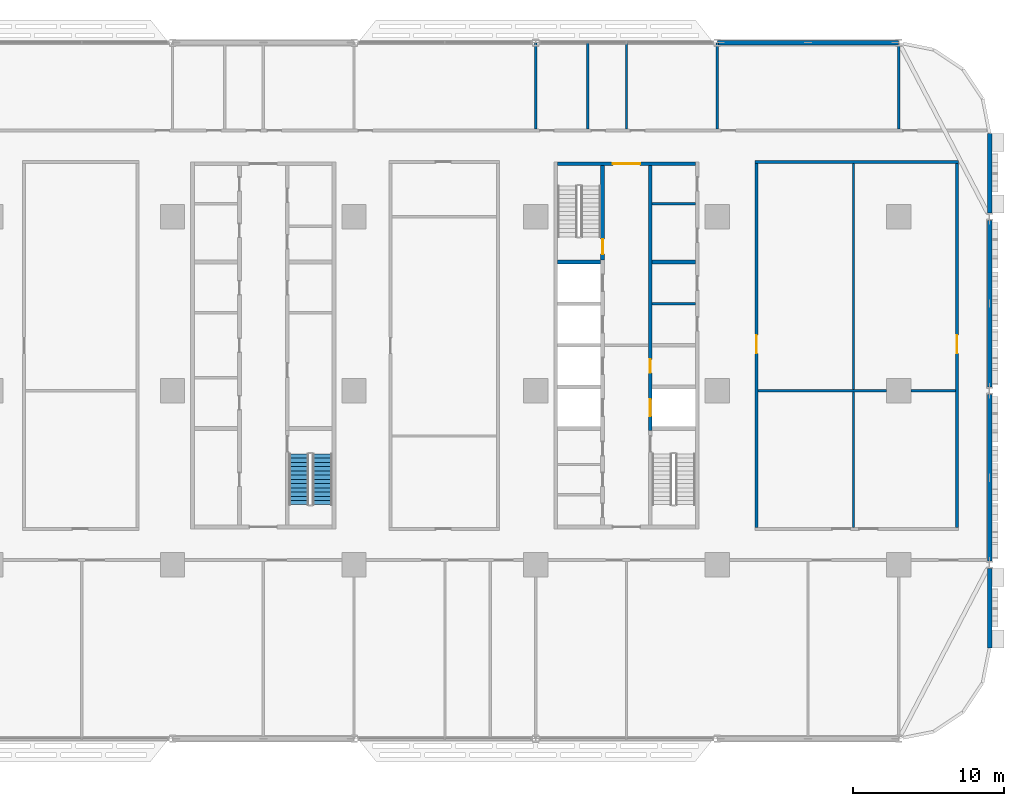
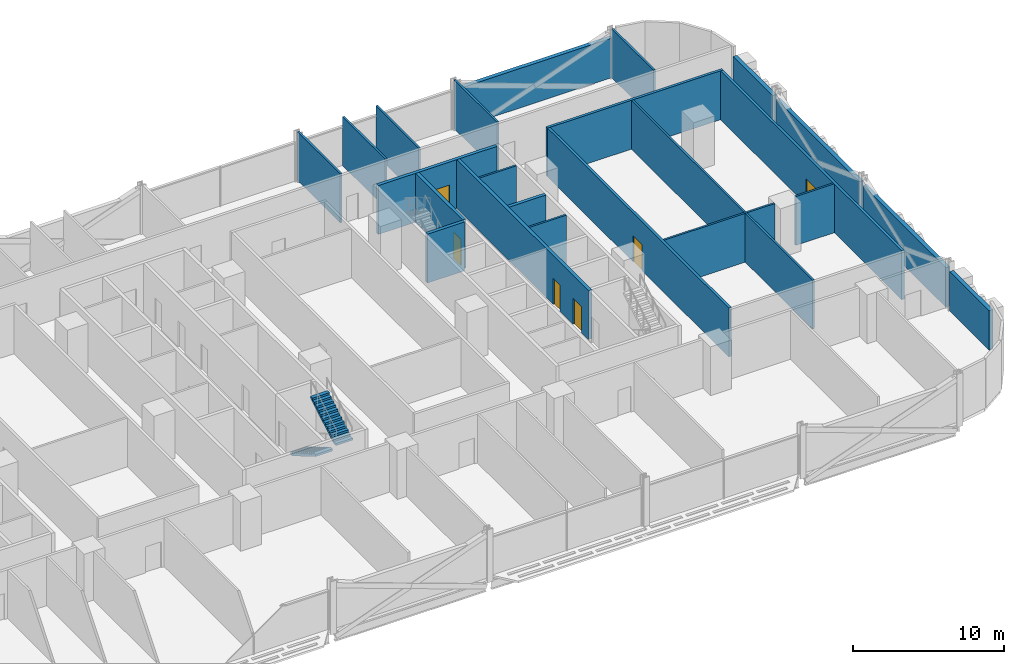
# One storey, part 15 of 29: 23 walls, 6 doors, 2 stair flights, 6 openings, 1 element without a shape of its own.
"""IFC4 building model written with IfcOpenShell, lengths in metres."""

from ifc_helpers import new_model, si_unit, direction, frame, frame_2d, origin, place, context, subcontext, project, spatial, polyline, rectangle, outline, extrude, material, layer, layer_set, type_object, element, fill, aggregate, save


model = new_model("IFC4")

# Units and contexts
model_context = context("Model", 3, precision=1e-05, world=origin(), true_north=direction((0.0, 1.0)))
body_context = subcontext(model_context, "Body", "Model", "MODEL_VIEW")
ifc_project = project(units=[si_unit("LENGTHUNIT", "METRE"), si_unit("AREAUNIT", "SQUARE_METRE"), si_unit("VOLUMEUNIT", "CUBIC_METRE"), si_unit("PLANEANGLEUNIT", "RADIAN"), si_unit("MASSUNIT", "GRAM", prefix="KILO")], contexts=[model_context])

# Site, building, storey
site_placement = place(None, origin())
site = spatial("IfcSite", under=ifc_project, at=site_placement, CompositionType="ELEMENT")
building_placement = place(site_placement, origin())
building = spatial("IfcBuilding", under=site, at=building_placement, Name="Mahtab Terrace Research Tower", CompositionType="ELEMENT")
storey_placement = place(building_placement, frame((0.0, 0.0, 20.10009765625)))
storey = spatial("IfcBuildingStorey", under=building, at=storey_placement, Name="L04", CompositionType="ELEMENT", Elevation=20.10009765625)

# Walls
ifc_material_1 = material(Name="Gypsum board partition")
ifc_layer_1 = layer(ifc_material_1, 0.14990234375)
ifc_layer_set_1 = layer_set([ifc_layer_1], Name="Core partition 150")
wall_type_1 = type_object("IfcWallType", Name="Core partition 150", PredefinedType="PARTITIONING", material=ifc_layer_set_1)
for number, where, z_axis, x_axis, name in (
    (1, (25.699951171875, 5.75, 0.0), (0.0, 0.0, 1.0), (1.0, 0.0, 0.0), "Core wall C pEL275"),
    (2, (25.699951171875, 12.35498046875, 0.0), (0.0, 0.0, 1.0), (1.0, 0.0, 0.0), "Core wall C pEN936"),
):
    element("IfcWall", number, at=place(storey_placement, frame(where, z_axis=z_axis, x_axis=x_axis)), inside=storey, type_object=wall_type_1, Name=name, PredefinedType="PARTITIONING", context=body_context, shape_type="SweptSolid", body=[
        extrude(rectangle(XDim=2.85009765625, YDim=0.14990234375, at=frame_2d((1.425048828125, 0.0))), origin(), (0.0, 0.0, 1.0), 3.9599609375),
    ])

# Wall, opening, door
ifc_material_2 = material(Name="Concrete C70/85", Category="concrete")
ifc_layer_2 = layer(ifc_material_2, 0.25)
ifc_layer_set_2 = layer_set([ifc_layer_2], Name="Core wall 250")
wall_type_2 = type_object("IfcWallType", Name="Core wall 250", PredefinedType="SOLIDWALL", material=ifc_layer_set_2)
wall_1_placement = place(storey_placement, frame((19.449951171875, 15.0, 0.0), z_axis=(0.0, 0.0, 1.0), x_axis=(1.0, 0.0, 0.0)))
wall_1 = element("IfcWall", 3, at=wall_1_placement, inside=storey, type_object=wall_type_2, Name="Core wall C endN", PredefinedType="SOLIDWALL", context=body_context, shape_type="SweptSolid", body=[
    extrude(rectangle(XDim=9.10009765625, YDim=0.25, at=frame_2d((4.550048828125, 0.0))), origin(), (0.0, 0.0, 1.0), 3.9599609375),
])
opening_1_placement = place(wall_1_placement, frame((3.64990234375, 0.0, 0.0)))
opening_1 = element("IfcOpeningElement", 4, at=opening_1_placement, cuts=wall_1, Name="Opening C-N1", PredefinedType="OPENING", context=body_context, shape_type="SweptSolid", body=[
    extrude(rectangle(XDim=1.800048828125, YDim=2.10009765625, at=frame_2d((0.89990234375, 1.050048828125))), frame((0.0, 0.135009765625, 0.0), z_axis=(0.0, -1.0, 0.0), x_axis=(1.0, 0.0, 0.0)), (0.0, 0.0, 1.0), 0.27001953125),
])
ifc_material_3 = material(Name="Steel fire door", Category="steel")
door_type_1 = type_object("IfcDoorType", Name="Lobby double door 1800x2100 1 HR", OperationType="DOUBLE_DOOR_SINGLE_SWING", PredefinedType="DOOR", material=ifc_material_3)
door_1_placement = place(opening_1_placement, origin())
door_1 = element("IfcDoor", 5, at=door_1_placement, inside=storey, type_object=door_type_1, Name="Core entrance door C N", OperationType="DOUBLE_DOOR_SINGLE_SWING", OverallHeight=2.10009765625, OverallWidth=1.800048828125, PredefinedType="DOOR", context=body_context, shape_type="SweptSolid", body=[
    extrude(rectangle(XDim=1.800048828125, YDim=2.10009765625, at=frame_2d((0.89990234375, 1.050048828125))), frame((0.0, 0.02490234375, 0.0), z_axis=(0.0, -1.0, 0.0), x_axis=(1.0, 0.0, 0.0)), (0.0, 0.0, 1.0), 0.050048828125),
])
fill(opening_1, door_1)

wall_2_placement = place(storey_placement, frame((22.425048828125, 14.875, 0.0), z_axis=(0.0, 0.0, 1.0), x_axis=(0.0, -1.0, 0.0)))
wall_2 = element("IfcWall", 6, at=wall_2_placement, inside=storey, type_object=wall_type_2, Name="Core wall C innerWN", PredefinedType="SOLIDWALL", context=body_context, shape_type="SweptSolid", body=[
    extrude(rectangle(XDim=6.25, YDim=0.25, at=frame_2d((3.125, 0.0))), origin(), (0.0, 0.0, 1.0), 3.9599609375),
])
opening_2_placement = place(wall_2_placement, frame((4.85009765625, 0.0, 0.0)))
opening_2 = element("IfcOpeningElement", 7, at=opening_2_placement, cuts=wall_2, Name="Opening C-ST3", PredefinedType="OPENING", context=body_context, shape_type="SweptSolid", body=[
    extrude(rectangle(XDim=1.0, YDim=2.10009765625, at=frame_2d((0.5, 1.050048828125))), frame((0.0, 0.135009765625, 0.0), z_axis=(0.0, -1.0, 0.0), x_axis=(1.0, 0.0, 0.0)), (0.0, 0.0, 1.0), 0.27001953125),
])
door_type_2 = type_object("IfcDoorType", Name="Stair door 1000x2100 1.5 HR", OperationType="NOTDEFINED", PredefinedType="DOOR", material=ifc_material_3)
door_2_placement = place(opening_2_placement, origin())
door_2 = element("IfcDoor", 8, at=door_2_placement, inside=storey, type_object=door_type_2, Name="Stair door ST3 L04", OperationType="SINGLE_SWING_LEFT", OverallHeight=2.10009765625, OverallWidth=1.0, PredefinedType="DOOR", context=body_context, shape_type="SweptSolid", body=[
    extrude(rectangle(XDim=1.0, YDim=2.10009765625, at=frame_2d((0.5, 1.050048828125))), frame((0.0, 0.02490234375, 0.0), z_axis=(0.0, -1.0, 0.0), x_axis=(1.0, 0.0, 0.0)), (0.0, 0.0, 1.0), 0.050048828125),
])
fill(opening_2, door_2)

# Wall, openings, doors
wall_3_placement = place(storey_placement, frame((25.574951171875, 14.875, 0.0), z_axis=(0.0, 0.0, 1.0), x_axis=(0.0, -1.0, 0.0)))
wall_3 = element("IfcWall", 9, at=wall_3_placement, inside=storey, type_object=wall_type_2, Name="Core wall C innerELN", PredefinedType="SOLIDWALL", context=body_context, shape_type="SweptSolid", body=[
    extrude(rectangle(XDim=17.5, YDim=0.25, at=frame_2d((8.75, 0.0))), origin(), (0.0, 0.0, 1.0), 3.9599609375),
])
opening_3_placement = place(wall_3_placement, frame((15.449951171875, 0.0, 0.0)))
opening_3 = element("IfcOpeningElement", 10, at=opening_3_placement, cuts=wall_3, Name="Opening LD21-L04", PredefinedType="OPENING", context=body_context, shape_type="SweptSolid", body=[
    extrude(rectangle(XDim=1.10009765625, YDim=2.10009765625, at=frame_2d((0.550048828125, 1.050048828125))), frame((0.0, 0.135009765625, 0.0), z_axis=(0.0, -1.0, 0.0), x_axis=(1.0, 0.0, 0.0)), (0.0, 0.0, 1.0), 0.27001953125),
])
opening_4_placement = place(wall_3_placement, frame((12.800048828125, 0.0, 0.0)))
opening_4 = element("IfcOpeningElement", 11, at=opening_4_placement, cuts=wall_3, Name="Opening C-R1", PredefinedType="OPENING", context=body_context, shape_type="SweptSolid", body=[
    extrude(rectangle(XDim=0.89990234375, YDim=2.10009765625, at=frame_2d((0.449951171875, 1.050048828125))), frame((0.0, 0.135009765625, 0.0), z_axis=(0.0, -1.0, 0.0), x_axis=(1.0, 0.0, 0.0)), (0.0, 0.0, 1.0), 0.27001953125),
])
ifc_material_4 = material(Name="Stainless steel AISI 304", Category="steel")
door_type_3 = type_object("IfcDoorType", Name="Landing door 1100x2100", OperationType="DOUBLE_DOOR_SLIDING", PredefinedType="DOOR", material=ifc_material_4)
door_3_placement = place(opening_3_placement, origin())
door_3 = element("IfcDoor", 12, at=door_3_placement, inside=storey, type_object=door_type_3, Name="Landing door SV3 L04", OperationType="DOUBLE_DOOR_SLIDING", OverallHeight=2.10009765625, OverallWidth=1.10009765625, PredefinedType="DOOR", context=body_context, shape_type="SweptSolid", body=[
    extrude(rectangle(XDim=1.10009765625, YDim=2.10009765625, at=frame_2d((0.550048828125, 1.050048828125))), frame((0.0, 0.02490234375, 0.0), z_axis=(0.0, -1.0, 0.0), x_axis=(1.0, 0.0, 0.0)), (0.0, 0.0, 1.0), 0.050048828125),
])
fill(opening_3, door_3)
door_type_4 = type_object("IfcDoorType", Name="Room door 900x2100 1 HR", OperationType="NOTDEFINED", PredefinedType="DOOR", material=ifc_material_3)
door_4_placement = place(opening_4_placement, origin())
door_4 = element("IfcDoor", 13, at=door_4_placement, inside=storey, type_object=door_type_4, Name="Plant room door", OperationType="SINGLE_SWING_LEFT", OverallHeight=2.10009765625, OverallWidth=0.89990234375, PredefinedType="DOOR", context=body_context, shape_type="SweptSolid", body=[
    extrude(rectangle(XDim=0.89990234375, YDim=2.10009765625, at=frame_2d((0.449951171875, 1.050048828125))), frame((0.0, 0.02490234375, 0.0), z_axis=(0.0, -1.0, 0.0), x_axis=(1.0, 0.0, 0.0)), (0.0, 0.0, 1.0), 0.050048828125),
])
fill(opening_4, door_4)

# Walls
for number, where, z_axis, x_axis, name in (
    (14, (19.449951171875, 8.5, 0.0), (0.0, 0.0, 1.0), (1.0, 0.0, 0.0), "Core wall C divW4"),
    (15, (25.699951171875, 8.5, 0.0), (0.0, 0.0, 1.0), (1.0, 0.0, 0.0), "Core wall C divE4"),
):
    element("IfcWall", number, at=place(storey_placement, frame(where, z_axis=z_axis, x_axis=x_axis)), inside=storey, type_object=wall_type_2, Name=name, PredefinedType="SOLIDWALL", context=body_context, shape_type="SweptSolid", body=[
        extrude(rectangle(XDim=2.85009765625, YDim=0.25, at=frame_2d((1.425048828125, 0.0))), origin(), (0.0, 0.0, 1.0), 3.9599609375),
    ])
ifc_material_5 = material(Name="Black aluminium cladding panel", Category="aluminium")
ifc_layer_3 = layer(ifc_material_5, 0.300048828125)
ifc_layer_set_3 = layer_set([ifc_layer_3], Name="Opaque facade wall 300")
wall_type_3 = type_object("IfcWallType", Name="Opaque facade wall 300", PredefinedType="NOTDEFINED", material=ifc_layer_set_3)
wall_4_placement = place(storey_placement, frame((41.97216796875, 23.0, 0.0), z_axis=(0.0, 0.0, 1.0), x_axis=(-1.0, 0.0, 0.0)))
element("IfcWall", 16, at=wall_4_placement, inside=storey, type_object=wall_type_3, Name="Opaque facade wall L04 N3", PredefinedType="NOTDEFINED", context=body_context, shape_type="SweptSolid", body=[
    extrude(rectangle(XDim=11.9443359375, YDim=0.300048828125, at=frame_2d((5.97216796875, 0.0))), origin(), (0.0, 0.0, 1.0), 3.202880859375),
])
wall_5_placement = place(storey_placement, frame((48.0, -17.0, 0.0), z_axis=(0.0, 0.0, 1.0), x_axis=(0.0, 1.0, 0.0)))
element("IfcWall", 17, at=wall_5_placement, inside=storey, type_object=wall_type_3, Name="Opaque facade wall L04 E33", PredefinedType="NOTDEFINED", context=body_context, shape_type="SweptSolid", body=[
    extrude(rectangle(XDim=5.2509765625, YDim=0.300048828125, at=frame_2d((2.62548828125, 0.0))), origin(), (0.0, 0.0, 1.0), 3.202880859375),
])
for number, where, z_axis, x_axis, name in (
    (18, (48.0, -11.2509765625, 0.0), (0.0, 0.0, 1.0), (0.0, 1.0, 0.0), "Opaque facade wall L04 E34"),
    (19, (48.0, 0.2490234375, 0.0), (0.0, 0.0, 1.0), (0.0, 1.0, 0.0), "Opaque facade wall L04 E35"),
):
    element("IfcWall", number, at=place(storey_placement, frame(where, z_axis=z_axis, x_axis=x_axis)), inside=storey, type_object=wall_type_3, Name=name, PredefinedType="NOTDEFINED", context=body_context, shape_type="SweptSolid", body=[
        extrude(rectangle(XDim=11.001953125, YDim=0.300048828125, at=frame_2d((5.5009765625, 0.0))), origin(), (0.0, 0.0, 1.0), 3.202880859375),
    ])
wall_6_placement = place(storey_placement, frame((48.0, 11.7490234375, 0.0), z_axis=(0.0, 0.0, 1.0), x_axis=(0.0, 1.0, 0.0)))
element("IfcWall", 20, at=wall_6_placement, inside=storey, type_object=wall_type_3, Name="Opaque facade wall L04 E36", PredefinedType="NOTDEFINED", context=body_context, shape_type="SweptSolid", body=[
    extrude(rectangle(XDim=5.2509765625, YDim=0.300048828125, at=frame_2d((2.62548828125, 0.0))), origin(), (0.0, 0.0, 1.0), 3.202880859375),
])
ifc_material_6 = material(Name="Gypsum board corridor wall on steel studs", Category="steel")
ifc_layer_4 = layer(ifc_material_6, 0.199951171875)
ifc_layer_set_4 = layer_set([ifc_layer_4], Name="WALL CORRIDOR 200")
wall_type_4 = type_object("IfcWallType", Name="WALL CORRIDOR 200", PredefinedType="PARTITIONING", material=ifc_layer_set_4)
wall_7_placement = place(storey_placement, frame((32.5, 15.125, 0.0), z_axis=(0.0, 0.0, 1.0), x_axis=(1.0, 0.0, 0.0)))
element("IfcWall", 21, at=wall_7_placement, inside=storey, type_object=wall_type_4, Name="L04-W025", PredefinedType="PARTITIONING", context=body_context, shape_type="SweptSolid", body=[
    extrude(rectangle(XDim=13.449951171875, YDim=0.199951171875, at=frame_2d((6.72509765625, 0.0))), origin(), (0.0, 0.0, 1.0), 3.9599609375),
])

# Wall, opening, door
wall_8_placement = place(storey_placement, frame((32.60009765625, -9.02490234375, 0.0), z_axis=(0.0, 0.0, 1.0), x_axis=(0.0, 1.0, 0.0)))
wall_8 = element("IfcWall", 22, at=wall_8_placement, inside=storey, type_object=wall_type_4, Name="L04-W059", PredefinedType="PARTITIONING", context=body_context, shape_type="SweptSolid", body=[
    extrude(rectangle(XDim=24.0498046875, YDim=0.199951171875, at=frame_2d((12.02490234375, 0.0))), origin(), (0.0, 0.0, 1.0), 3.9599609375),
])
opening_5_placement = place(wall_8_placement, frame((11.5, 0.0, 0.0)))
opening_5 = element("IfcOpeningElement", 23, at=opening_5_placement, cuts=wall_8, Name="Opening L04-126", PredefinedType="OPENING", context=body_context, shape_type="SweptSolid", body=[
    extrude(rectangle(XDim=1.199951171875, YDim=2.10009765625, at=frame_2d((0.60009765625, 1.050048828125))), frame((0.0, 0.10986328125, 0.0), z_axis=(0.0, -1.0, 0.0), x_axis=(1.0, 0.0, 0.0)), (0.0, 0.0, 1.0), 0.219970703125),
])
ifc_material_7 = material(Name="Timber door leaf in steel frame", Category="steel")
door_type_5 = type_object("IfcDoorType", Name="DOOR 1200X2100 FD30S", OperationType="SINGLE_SWING_LEFT", PredefinedType="DOOR", material=ifc_material_7)
door_5_placement = place(opening_5_placement, origin())
door_5 = element("IfcDoor", 24, at=door_5_placement, inside=storey, type_object=door_type_5, Name="Door L04-126", OperationType="SINGLE_SWING_LEFT", OverallHeight=2.10009765625, OverallWidth=1.199951171875, PredefinedType="DOOR", context=body_context, shape_type="SweptSolid", body=[
    extrude(rectangle(XDim=1.199951171875, YDim=2.10009765625, at=frame_2d((0.60009765625, 1.050048828125))), frame((0.0, 0.02490234375, 0.0), z_axis=(0.0, -1.0, 0.0), x_axis=(1.0, 0.0, 0.0)), (0.0, 0.0, 1.0), 0.050048828125),
])
fill(opening_5, door_5)

wall_9_placement = place(storey_placement, frame((45.85009765625, -9.02490234375, 0.0), z_axis=(0.0, 0.0, 1.0), x_axis=(0.0, 1.0, 0.0)))
wall_9 = element("IfcWall", 25, at=wall_9_placement, inside=storey, type_object=wall_type_4, Name="L04-W064", PredefinedType="PARTITIONING", context=body_context, shape_type="SweptSolid", body=[
    extrude(rectangle(XDim=24.0498046875, YDim=0.199951171875, at=frame_2d((12.02490234375, 0.0))), origin(), (0.0, 0.0, 1.0), 3.9599609375),
])
opening_6_placement = place(wall_9_placement, frame((11.5, 0.0, 0.0)))
opening_6 = element("IfcOpeningElement", 26, at=opening_6_placement, cuts=wall_9, Name="Opening L04-127", PredefinedType="OPENING", context=body_context, shape_type="SweptSolid", body=[
    extrude(rectangle(XDim=1.199951171875, YDim=2.10009765625, at=frame_2d((0.60009765625, 1.050048828125))), frame((0.0, 0.10986328125, 0.0), z_axis=(0.0, -1.0, 0.0), x_axis=(1.0, 0.0, 0.0)), (0.0, 0.0, 1.0), 0.219970703125),
])
door_6_placement = place(opening_6_placement, origin())
door_6 = element("IfcDoor", 27, at=door_6_placement, inside=storey, type_object=door_type_5, Name="Door L04-127", OperationType="SINGLE_SWING_RIGHT", OverallHeight=2.10009765625, OverallWidth=1.199951171875, PredefinedType="DOOR", context=body_context, shape_type="SweptSolid", body=[
    extrude(rectangle(XDim=1.199951171875, YDim=2.10009765625, at=frame_2d((0.60009765625, 1.050048828125))), frame((0.0, 0.02490234375, 0.0), z_axis=(0.0, -1.0, 0.0), x_axis=(1.0, 0.0, 0.0)), (0.0, 0.0, 1.0), 0.050048828125),
])
fill(opening_6, door_6)

# Walls
ifc_material_8 = material(Name="Gypsum board partition on steel studs", Category="steel")
ifc_layer_5 = layer(ifc_material_8, 0.14990234375)
ifc_layer_set_5 = layer_set([ifc_layer_5], Name="WALL PARTITION 150")
wall_type_5 = type_object("IfcWallType", Name="WALL PARTITION 150", PredefinedType="PARTITIONING", material=ifc_layer_set_5)
wall_10_placement = place(storey_placement, frame((32.699951171875, 0.0, 0.0), z_axis=(0.0, 0.0, 1.0), x_axis=(1.0, 0.0, 0.0)))
element("IfcWall", 28, at=wall_10_placement, inside=storey, type_object=wall_type_5, Name="L04-W017", PredefinedType="PARTITIONING", context=body_context, shape_type="SweptSolid", body=[
    extrude(rectangle(XDim=8.5, YDim=0.14990234375, at=frame_2d((4.25, 0.0))), origin(), (0.0, 0.0, 1.0), 3.9599609375),
])
wall_11_placement = place(storey_placement, frame((42.800048828125, 0.0, 0.0), z_axis=(0.0, 0.0, 1.0), x_axis=(1.0, 0.0, 0.0)))
element("IfcWall", 29, at=wall_11_placement, inside=storey, type_object=wall_type_5, Name="L04-W018", PredefinedType="PARTITIONING", context=body_context, shape_type="SweptSolid", body=[
    extrude(rectangle(XDim=2.949951171875, YDim=0.14990234375, at=frame_2d((1.47509765625, 0.0))), origin(), (0.0, 0.0, 1.0), 3.9599609375),
])
for number, where, z_axis, x_axis, name in (
    (30, (18.0, 17.300048828125, 0.0), (0.0, 0.0, 1.0), (0.0, 1.0, 0.0), "L04-W054"),
    (31, (21.449951171875, 17.300048828125, 0.0), (0.0, 0.0, 1.0), (0.0, 1.0, 0.0), "L04-W055"),
    (32, (24.0, 17.300048828125, 0.0), (0.0, 0.0, 1.0), (0.0, 1.0, 0.0), "L04-W057"),
    (33, (30.0, 17.300048828125, 0.0), (0.0, 0.0, 1.0), (0.0, 1.0, 0.0), "L04-W058"),
):
    element("IfcWall", number, at=place(storey_placement, frame(where, z_axis=z_axis, x_axis=x_axis)), inside=storey, type_object=wall_type_5, Name=name, PredefinedType="PARTITIONING", context=body_context, shape_type="SweptSolid", body=[
        extrude(rectangle(XDim=5.675048828125, YDim=0.14990234375, at=frame_2d((2.83740234375, 0.0))), origin(), (0.0, 0.0, 1.0), 3.9599609375),
    ])
wall_12_placement = place(storey_placement, frame((39.0, -9.02490234375, 0.0), z_axis=(0.0, 0.0, 1.0), x_axis=(0.0, 1.0, 0.0)))
element("IfcWall", 34, at=wall_12_placement, inside=storey, type_object=wall_type_5, Name="L04-W061", PredefinedType="PARTITIONING", context=body_context, shape_type="SweptSolid", body=[
    extrude(rectangle(XDim=24.0498046875, YDim=0.14990234375, at=frame_2d((12.02490234375, 0.0))), origin(), (0.0, 0.0, 1.0), 3.9599609375),
])
wall_13_placement = place(storey_placement, frame((42.0, 17.300048828125, 0.0), z_axis=(0.0, 0.0, 1.0), x_axis=(0.0, 1.0, 0.0)))
element("IfcWall", 35, at=wall_13_placement, inside=storey, type_object=wall_type_5, Name="L04-W063", PredefinedType="PARTITIONING", context=body_context, shape_type="SweptSolid", body=[
    extrude(rectangle(XDim=5.547119140625, YDim=0.14990234375, at=frame_2d((2.7734375, 0.0))), origin(), (0.0, 0.0, 1.0), 3.9599609375),
])

# Stair, stair flights
ifc_material_9 = material(Name="Exit stair half-turn")
stair_type = type_object("IfcStairType", Name="Exit stair half-turn", PredefinedType="HALF_TURN_STAIR", material=ifc_material_9)
stair_placement = place(storey_placement, origin())
stair = element("IfcStair", 36, at=stair_placement, inside=storey, type_object=stair_type, Name="L04 Protected exit stair ST2", PredefinedType="HALF_TURN_STAIR")
ifc_material_10 = material(Name="Concrete C40/50", Category="concrete")
stair_flight_type = type_object("IfcStairFlightType", Name="Exit stair flight 1300", PredefinedType="STRAIGHT", material=ifc_material_10)
stair_flight_1_placement = place(storey_placement, frame((2.35009765625, -4.175048828125, 0.0), z_axis=(0.0, 0.0, 1.0), x_axis=(0.0, -1.0, 0.0)))
stair_flight_1 = element("IfcStairFlight", 37, at=stair_flight_1_placement, type_object=stair_flight_type, Name="ST2 flight 1", NumberOfRisers=13, NumberOfTreads=12, PredefinedType="STRAIGHT", RiserHeight=0.165384615, TreadLength=0.28, context=body_context, shape_type="SweptSolid", body=[
    extrude(outline(polyline([(0.0, 0.0), (0.0, 0.165283203125), (0.280029296875, 0.165283203125), (0.280029296875, 0.330810546875), (0.56005859375, 0.330810546875), (0.56005859375, 0.49609375), (0.840087890625, 0.49609375), (0.840087890625, 0.66162109375), (1.1201171875, 0.66162109375), (1.1201171875, 0.826904296875), (1.39990234375, 0.826904296875), (1.39990234375, 0.9921875), (1.679931640625, 0.9921875), (1.679931640625, 1.15771484375), (1.9599609375, 1.15771484375), (1.9599609375, 1.322998046875), (2.239990234375, 1.322998046875), (2.239990234375, 1.488525390625), (2.52001953125, 1.488525390625), (2.52001953125, 1.65380859375), (2.800048828125, 1.65380859375), (2.800048828125, 1.8193359375), (3.080078125, 1.8193359375), (3.080078125, 1.984619140625), (3.360107421875, 1.984619140625), (3.360107421875, 2.14990234375), (3.360107421875, 1.810546875), (0.294677734375, 0.0), (0.0, 0.0)])), frame((0.0, 0.64990234375, 0.0), z_axis=(0.0, -1.0, 0.0), x_axis=(1.0, 0.0, 0.0)), (0.0, 0.0, 1.0), 1.300048828125),
])
stair_flight_2_placement = place(storey_placement, frame((3.89990234375, -7.534912109375, 2.14990234375), z_axis=(0.0, 0.0, 1.0), x_axis=(0.0, 1.0, 0.0)))
stair_flight_2 = element("IfcStairFlight", 38, at=stair_flight_2_placement, type_object=stair_flight_type, Name="ST2 flight 2", NumberOfRisers=13, NumberOfTreads=12, PredefinedType="STRAIGHT", RiserHeight=0.165384615, TreadLength=0.28, context=body_context, shape_type="SweptSolid", body=[
    extrude(outline(polyline([(0.0, 0.0), (0.0, 0.165283203125), (0.280029296875, 0.165283203125), (0.280029296875, 0.330810546875), (0.56005859375, 0.330810546875), (0.56005859375, 0.49609375), (0.840087890625, 0.49609375), (0.840087890625, 0.66162109375), (1.1201171875, 0.66162109375), (1.1201171875, 0.826904296875), (1.39990234375, 0.826904296875), (1.39990234375, 0.9921875), (1.679931640625, 0.9921875), (1.679931640625, 1.15771484375), (1.9599609375, 1.15771484375), (1.9599609375, 1.322998046875), (2.239990234375, 1.322998046875), (2.239990234375, 1.488525390625), (2.52001953125, 1.488525390625), (2.52001953125, 1.65380859375), (2.800048828125, 1.65380859375), (2.800048828125, 1.8193359375), (3.080078125, 1.8193359375), (3.080078125, 1.984619140625), (3.360107421875, 1.984619140625), (3.360107421875, 2.14990234375), (3.360107421875, 1.810546875), (0.294677734375, 0.0), (0.0, 0.0)])), frame((0.0, 0.64990234375, 0.0), z_axis=(0.0, -1.0, 0.0), x_axis=(1.0, 0.0, 0.0)), (0.0, 0.0, 1.0), 1.300048828125),
])
aggregate(stair, [stair_flight_1, stair_flight_2])

save(model, "model.ifc")
